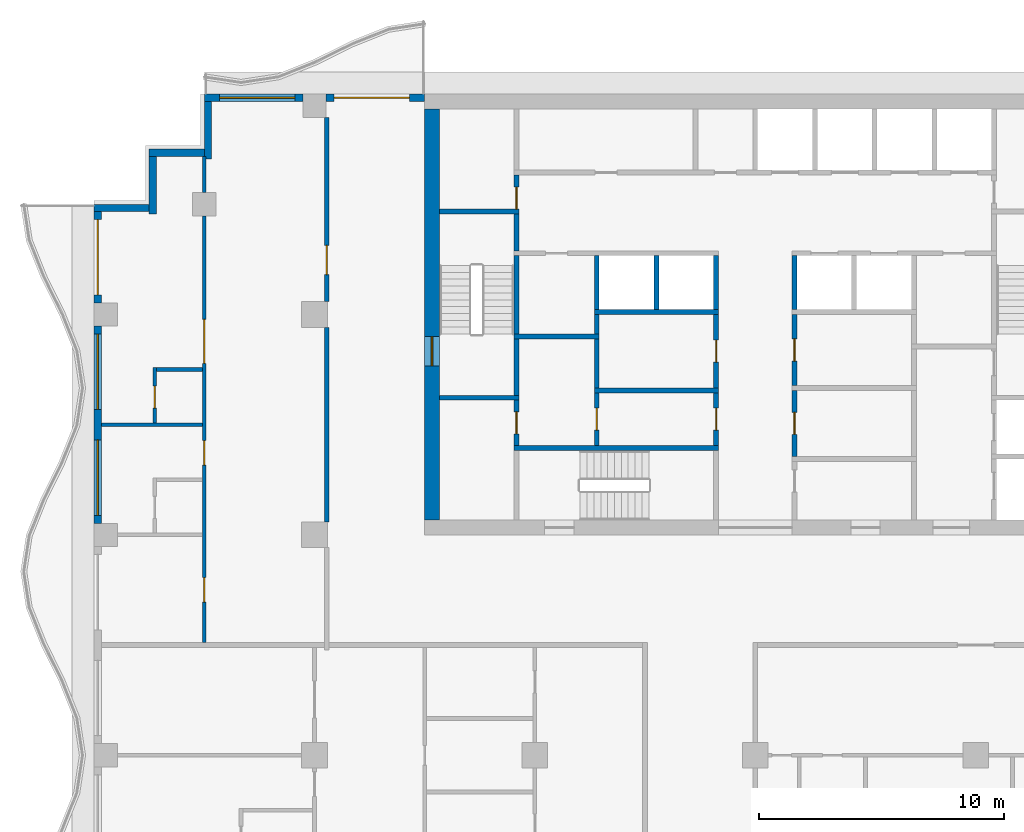
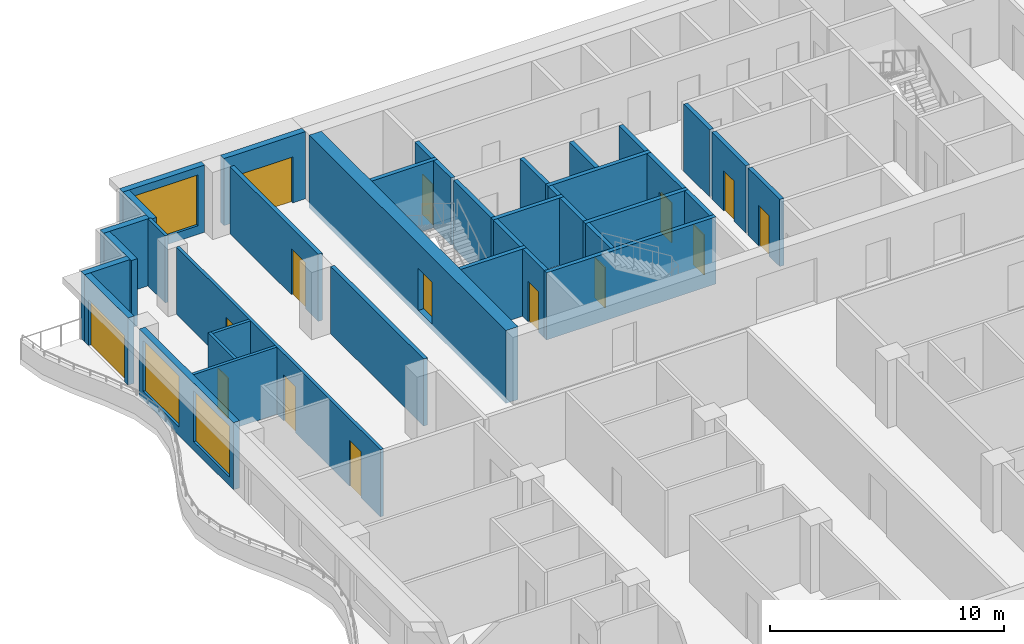
# One storey, part 5 of 11: 38 walls, 15 doors, 3 windows, 18 openings.
"""IFC4 building model written with IfcOpenShell, lengths in metres."""

from ifc_helpers import new_model, si_unit, direction, frame, frame_2d, origin, place, context, subcontext, project, spatial, rectangle, extrude, material, layer, layer_set, type_object, element, fill, save


model = new_model("IFC4")

# Units and contexts
model_context = context("Model", 3, precision=1e-05, world=origin(), true_north=direction((0.0, 1.0)))
body_context = subcontext(model_context, "Body", "Model", "MODEL_VIEW")
ifc_project = project(units=[si_unit("LENGTHUNIT", "METRE"), si_unit("AREAUNIT", "SQUARE_METRE"), si_unit("VOLUMEUNIT", "CUBIC_METRE"), si_unit("PLANEANGLEUNIT", "RADIAN"), si_unit("MASSUNIT", "GRAM", prefix="KILO")], contexts=[model_context])

# Site, building, storey
site_placement = place(None, origin())
site = spatial("IfcSite", under=ifc_project, at=site_placement, CompositionType="ELEMENT")
building_placement = place(site_placement, origin())
building = spatial("IfcBuilding", under=site, at=building_placement, Name="Orbiselva Terraces", CompositionType="ELEMENT")
storey_placement = place(building_placement, frame((0.0, 0.0, 218.6)))
storey = spatial("IfcBuildingStorey", under=building, at=storey_placement, Name="L55", CompositionType="ELEMENT", Elevation=218.6)

# Wall, opening, door
ifc_material_1 = material(Name="Concrete C80/95", Category="concrete")
ifc_layer_1 = layer(ifc_material_1, 0.6)
ifc_layer_set_1 = layer_set([ifc_layer_1], Name="Concrete C80/95")
wall_type_1 = type_object("IfcWallType", Name="CORE WALL 600", PredefinedType="SHEAR", material=ifc_layer_set_1)
wall_1_placement = place(storey_placement, frame((-13.2, 21.9, -0.3), z_axis=(0.0, 0.0, 1.0), x_axis=(0.0, -1.0, 0.0)))
wall_1 = element("IfcWall", 1, at=wall_1_placement, inside=storey, type_object=wall_type_1, Name="Core wall L55 west", PredefinedType="SHEAR", context=body_context, shape_type="SweptSolid", body=[
    extrude(rectangle(XDim=16.8, YDim=0.6, at=frame_2d((8.4, 0.0))), origin(), (0.0, 0.0, 1.0), 3.8),
])
opening_1_placement = place(wall_1_placement, frame((9.3, 0.0, 0.3)))
opening_1 = element("IfcOpeningElement", 2, at=opening_1_placement, cuts=wall_1, Name="Opening DS1200", PredefinedType="OPENING", context=body_context, shape_type="SweptSolid", body=[
    extrude(rectangle(XDim=1.2, YDim=2.2, at=frame_2d((0.6, 1.1))), frame((0.0, 0.31, 0.0), z_axis=(0.0, -1.0, 0.0), x_axis=(1.0, 0.0, 0.0)), (0.0, 0.0, 1.0), 0.62),
])
ifc_material_2 = material(Name="Steel fire door", Category="steel")
door_type_1 = type_object("IfcDoorType", Name="STAIR DOOR 1200", OperationType="NOTDEFINED", PredefinedType="DOOR", material=ifc_material_2)
door_1_placement = place(opening_1_placement, frame((1.2, 0.0, 0.0), z_axis=(0.0, 0.0, 1.0), x_axis=(-1.0, 0.0, 0.0)))
door_1 = element("IfcDoor", 3, at=door_1_placement, inside=storey, type_object=door_type_1, Name="L55 EXIT STAIR S1 door", OperationType="SINGLE_SWING_RIGHT", OverallHeight=2.2, OverallWidth=1.2, PredefinedType="DOOR", context=body_context, shape_type="SweptSolid", body=[
    extrude(rectangle(XDim=1.2, YDim=2.2, at=frame_2d((0.6, 1.1))), frame((0.0, 0.025, 0.0), z_axis=(0.0, -1.0, 0.0), x_axis=(1.0, 0.0, 0.0)), (0.0, 0.0, 1.0), 0.05),
])
fill(opening_1, door_1)

ifc_material_3 = material(Name="Masonry blockwork", Category="masonry")
ifc_layer_2 = layer(ifc_material_3, 0.2)
ifc_layer_set_2 = layer_set([ifc_layer_2], Name="Masonry blockwork")
wall_type_2 = type_object("IfcWallType", Name="CORE-WALL-PARTITION-200", PredefinedType="PARTITIONING", material=ifc_layer_set_2)
wall_2_placement = place(storey_placement, frame((-9.75, 8.15, 0.0), z_axis=(0.0, 0.0, 1.0), x_axis=(0.0, 1.0, 0.0)))
wall_2 = element("IfcWall", 4, at=wall_2_placement, inside=storey, type_object=wall_type_2, Name="L55 core wall 05", PredefinedType="PARTITIONING", context=body_context, shape_type="SweptSolid", body=[
    extrude(rectangle(XDim=1.85, YDim=0.2, at=frame_2d((0.925, 0.0))), origin(), (0.0, 0.0, 1.0), 3.5),
])
opening_2_placement = place(wall_2_placement, frame((0.475, 0.0, 0.0)))
opening_2 = element("IfcOpeningElement", 5, at=opening_2_placement, cuts=wall_2, Name="Opening DR900", PredefinedType="OPENING", context=body_context, shape_type="SweptSolid", body=[
    extrude(rectangle(XDim=0.9, YDim=2.1, at=frame_2d((0.45, 1.05))), frame((0.0, 0.11, 0.0), z_axis=(0.0, -1.0, 0.0), x_axis=(1.0, 0.0, 0.0)), (0.0, 0.0, 1.0), 0.22),
])
door_type_2 = type_object("IfcDoorType", Name="ROOM DOOR 900", OperationType="NOTDEFINED", PredefinedType="DOOR", material=ifc_material_2)
door_2_placement = place(opening_2_placement, origin())
door_2 = element("IfcDoor", 6, at=door_2_placement, inside=storey, type_object=door_type_2, Name="L55 CLEANERS STORE door", OperationType="SINGLE_SWING_RIGHT", OverallHeight=2.1, OverallWidth=0.9, PredefinedType="DOOR", context=body_context, shape_type="SweptSolid", body=[
    extrude(rectangle(XDim=0.9, YDim=2.1, at=frame_2d((0.45, 1.05))), frame((0.0, 0.025, 0.0), z_axis=(0.0, -1.0, 0.0), x_axis=(1.0, 0.0, 0.0)), (0.0, 0.0, 1.0), 0.05),
])
fill(opening_2, door_2)

wall_3_placement = place(storey_placement, frame((-9.75, 17.8, 0.0), z_axis=(0.0, 0.0, 1.0), x_axis=(0.0, 1.0, 0.0)))
wall_3 = element("IfcWall", 7, at=wall_3_placement, inside=storey, type_object=wall_type_2, Name="L55 core wall 11", PredefinedType="PARTITIONING", context=body_context, shape_type="SweptSolid", body=[
    extrude(rectangle(XDim=1.4, YDim=0.2, at=frame_2d((0.7, 0.0))), origin(), (0.0, 0.0, 1.0), 3.5),
])
opening_3_placement = place(wall_3_placement, origin())
opening_3 = element("IfcOpeningElement", 8, at=opening_3_placement, cuts=wall_3, Name="Opening DR900", PredefinedType="OPENING", context=body_context, shape_type="SweptSolid", body=[
    extrude(rectangle(XDim=0.9, YDim=2.1, at=frame_2d((0.45, 1.05))), frame((0.0, 0.11, 0.0), z_axis=(0.0, -1.0, 0.0), x_axis=(1.0, 0.0, 0.0)), (0.0, 0.0, 1.0), 0.22),
])
door_3_placement = place(opening_3_placement, origin())
door_3 = element("IfcDoor", 9, at=door_3_placement, inside=storey, type_object=door_type_2, Name="L55 COMMS RISER ROOM door", OperationType="SINGLE_SWING_LEFT", OverallHeight=2.1, OverallWidth=0.9, PredefinedType="DOOR", context=body_context, shape_type="SweptSolid", body=[
    extrude(rectangle(XDim=0.9, YDim=2.1, at=frame_2d((0.45, 1.05))), frame((0.0, 0.025, 0.0), z_axis=(0.0, -1.0, 0.0), x_axis=(1.0, 0.0, 0.0)), (0.0, 0.0, 1.0), 0.05),
])
fill(opening_3, door_3)

wall_4_placement = place(storey_placement, frame((-6.475, 8.15, 0.0), z_axis=(0.0, 0.0, 1.0), x_axis=(0.0, 1.0, 0.0)))
wall_4 = element("IfcWall", 10, at=wall_4_placement, inside=storey, type_object=wall_type_2, Name="L55 core wall 14", PredefinedType="PARTITIONING", context=body_context, shape_type="SweptSolid", body=[
    extrude(rectangle(XDim=2.15, YDim=0.2, at=frame_2d((1.075, 0.0))), origin(), (0.0, 0.0, 1.0), 3.5),
])
opening_4_placement = place(wall_4_placement, frame((0.625, 0.0, 0.0)))
opening_4 = element("IfcOpeningElement", 11, at=opening_4_placement, cuts=wall_4, Name="Opening DR900", PredefinedType="OPENING", context=body_context, shape_type="SweptSolid", body=[
    extrude(rectangle(XDim=0.9, YDim=2.1, at=frame_2d((0.45, 1.05))), frame((0.0, 0.11, 0.0), z_axis=(0.0, -1.0, 0.0), x_axis=(1.0, 0.0, 0.0)), (0.0, 0.0, 1.0), 0.22),
])
door_4_placement = place(opening_4_placement, origin())
door_4 = element("IfcDoor", 12, at=door_4_placement, inside=storey, type_object=door_type_2, Name="L55 STAFF ROOM door", OperationType="SINGLE_SWING_LEFT", OverallHeight=2.1, OverallWidth=0.9, PredefinedType="DOOR", context=body_context, shape_type="SweptSolid", body=[
    extrude(rectangle(XDim=0.9, YDim=2.1, at=frame_2d((0.45, 1.05))), frame((0.0, 0.025, 0.0), z_axis=(0.0, -1.0, 0.0), x_axis=(1.0, 0.0, 0.0)), (0.0, 0.0, 1.0), 0.05),
])
fill(opening_4, door_4)

# Walls
wall_5_placement = place(storey_placement, frame((-6.475, 10.5, 0.0), z_axis=(0.0, 0.0, 1.0), x_axis=(0.0, 1.0, 0.0)))
element("IfcWall", 13, at=wall_5_placement, inside=storey, type_object=wall_type_2, Name="L55 core wall 16", PredefinedType="PARTITIONING", context=body_context, shape_type="SweptSolid", body=[
    extrude(rectangle(XDim=2.0, YDim=0.2, at=frame_2d((1.0, 0.0))), origin(), (0.0, 0.0, 1.0), 3.5),
])
wall_6_placement = place(storey_placement, frame((-6.475, 12.7, 0.0), z_axis=(0.0, 0.0, 1.0), x_axis=(0.0, 1.0, 0.0)))
element("IfcWall", 14, at=wall_6_placement, inside=storey, type_object=wall_type_2, Name="L55 core wall 17", PredefinedType="PARTITIONING", context=body_context, shape_type="SweptSolid", body=[
    extrude(rectangle(XDim=0.8, YDim=0.2, at=frame_2d((0.4, 0.0))), origin(), (0.0, 0.0, 1.0), 3.5),
])

# Wall, opening, door
wall_7_placement = place(storey_placement, frame((-1.6, 8.15, 0.0), z_axis=(0.0, 0.0, 1.0), x_axis=(0.0, 1.0, 0.0)))
wall_7 = element("IfcWall", 15, at=wall_7_placement, inside=storey, type_object=wall_type_2, Name="L55 core wall 23", PredefinedType="PARTITIONING", context=body_context, shape_type="SweptSolid", body=[
    extrude(rectangle(XDim=2.15, YDim=0.2, at=frame_2d((1.075, 0.0))), origin(), (0.0, 0.0, 1.0), 3.5),
])
opening_5_placement = place(wall_7_placement, frame((0.625, 0.0, 0.0)))
opening_5 = element("IfcOpeningElement", 16, at=opening_5_placement, cuts=wall_7, Name="Opening DR900", PredefinedType="OPENING", context=body_context, shape_type="SweptSolid", body=[
    extrude(rectangle(XDim=0.9, YDim=2.1, at=frame_2d((0.45, 1.05))), frame((0.0, 0.11, 0.0), z_axis=(0.0, -1.0, 0.0), x_axis=(1.0, 0.0, 0.0)), (0.0, 0.0, 1.0), 0.22),
])
door_5_placement = place(opening_5_placement, origin())
door_5 = element("IfcDoor", 17, at=door_5_placement, inside=storey, type_object=door_type_2, Name="L55 SERVICE PANTRY door", OperationType="SINGLE_SWING_LEFT", OverallHeight=2.1, OverallWidth=0.9, PredefinedType="DOOR", context=body_context, shape_type="SweptSolid", body=[
    extrude(rectangle(XDim=0.9, YDim=2.1, at=frame_2d((0.45, 1.05))), frame((0.0, 0.025, 0.0), z_axis=(0.0, -1.0, 0.0), x_axis=(1.0, 0.0, 0.0)), (0.0, 0.0, 1.0), 0.05),
])
fill(opening_5, door_5)

wall_8_placement = place(storey_placement, frame((-1.6, 10.5, 0.0), z_axis=(0.0, 0.0, 1.0), x_axis=(0.0, 1.0, 0.0)))
wall_8 = element("IfcWall", 18, at=wall_8_placement, inside=storey, type_object=wall_type_2, Name="L55 core wall 24", PredefinedType="PARTITIONING", context=body_context, shape_type="SweptSolid", body=[
    extrude(rectangle(XDim=3.0, YDim=0.2, at=frame_2d((1.5, 0.0))), origin(), (0.0, 0.0, 1.0), 3.5),
])
opening_6_placement = place(wall_8_placement, frame((1.05, 0.0, 0.0)))
opening_6 = element("IfcOpeningElement", 19, at=opening_6_placement, cuts=wall_8, Name="Opening DR900", PredefinedType="OPENING", context=body_context, shape_type="SweptSolid", body=[
    extrude(rectangle(XDim=0.9, YDim=2.1, at=frame_2d((0.45, 1.05))), frame((0.0, 0.11, 0.0), z_axis=(0.0, -1.0, 0.0), x_axis=(1.0, 0.0, 0.0)), (0.0, 0.0, 1.0), 0.22),
])
door_6_placement = place(opening_6_placement, origin())
door_6 = element("IfcDoor", 20, at=door_6_placement, inside=storey, type_object=door_type_2, Name="L55 LINEN STORE door", OperationType="SINGLE_SWING_RIGHT", OverallHeight=2.1, OverallWidth=0.9, PredefinedType="DOOR", context=body_context, shape_type="SweptSolid", body=[
    extrude(rectangle(XDim=0.9, YDim=2.1, at=frame_2d((0.45, 1.05))), frame((0.0, 0.025, 0.0), z_axis=(0.0, -1.0, 0.0), x_axis=(1.0, 0.0, 0.0)), (0.0, 0.0, 1.0), 0.05),
])
fill(opening_6, door_6)

wall_9_placement = place(storey_placement, frame((1.6, 10.4, 0.0), z_axis=(0.0, 0.0, 1.0), x_axis=(0.0, -1.0, 0.0)))
wall_9 = element("IfcWall", 21, at=wall_9_placement, inside=storey, type_object=wall_type_2, Name="L55 core wall 29", PredefinedType="PARTITIONING", context=body_context, shape_type="SweptSolid", body=[
    extrude(rectangle(XDim=2.7, YDim=0.2, at=frame_2d((1.35, 0.0))), origin(), (0.0, 0.0, 1.0), 3.5),
])
opening_7_placement = place(wall_9_placement, frame((0.9, 0.0, 0.0)))
opening_7 = element("IfcOpeningElement", 22, at=opening_7_placement, cuts=wall_9, Name="Opening DR900", PredefinedType="OPENING", context=body_context, shape_type="SweptSolid", body=[
    extrude(rectangle(XDim=0.9, YDim=2.1, at=frame_2d((0.45, 1.05))), frame((0.0, 0.11, 0.0), z_axis=(0.0, -1.0, 0.0), x_axis=(1.0, 0.0, 0.0)), (0.0, 0.0, 1.0), 0.22),
])
door_7_placement = place(opening_7_placement, origin())
door_7 = element("IfcDoor", 23, at=door_7_placement, inside=storey, type_object=door_type_2, Name="L55 SERVICE PANTRY door", OperationType="SINGLE_SWING_LEFT", OverallHeight=2.1, OverallWidth=0.9, PredefinedType="DOOR", context=body_context, shape_type="SweptSolid", body=[
    extrude(rectangle(XDim=0.9, YDim=2.1, at=frame_2d((0.45, 1.05))), frame((0.0, 0.025, 0.0), z_axis=(0.0, -1.0, 0.0), x_axis=(1.0, 0.0, 0.0)), (0.0, 0.0, 1.0), 0.05),
])
fill(opening_7, door_7)

wall_10_placement = place(storey_placement, frame((1.6, 13.5, 0.0), z_axis=(0.0, 0.0, 1.0), x_axis=(0.0, -1.0, 0.0)))
wall_10 = element("IfcWall", 24, at=wall_10_placement, inside=storey, type_object=wall_type_2, Name="L55 core wall 31", PredefinedType="PARTITIONING", context=body_context, shape_type="SweptSolid", body=[
    extrude(rectangle(XDim=2.9, YDim=0.2, at=frame_2d((1.45, 0.0))), origin(), (0.0, 0.0, 1.0), 3.5),
])
opening_8_placement = place(wall_10_placement, frame((1.0, 0.0, 0.0)))
opening_8 = element("IfcOpeningElement", 25, at=opening_8_placement, cuts=wall_10, Name="Opening DR900", PredefinedType="OPENING", context=body_context, shape_type="SweptSolid", body=[
    extrude(rectangle(XDim=0.9, YDim=2.1, at=frame_2d((0.45, 1.05))), frame((0.0, 0.11, 0.0), z_axis=(0.0, -1.0, 0.0), x_axis=(1.0, 0.0, 0.0)), (0.0, 0.0, 1.0), 0.22),
])
door_8_placement = place(opening_8_placement, origin())
door_8 = element("IfcDoor", 26, at=door_8_placement, inside=storey, type_object=door_type_2, Name="L55 STAFF WC door", OperationType="SINGLE_SWING_LEFT", OverallHeight=2.1, OverallWidth=0.9, PredefinedType="DOOR", context=body_context, shape_type="SweptSolid", body=[
    extrude(rectangle(XDim=0.9, YDim=2.1, at=frame_2d((0.45, 1.05))), frame((0.0, 0.025, 0.0), z_axis=(0.0, -1.0, 0.0), x_axis=(1.0, 0.0, 0.0)), (0.0, 0.0, 1.0), 0.05),
])
fill(opening_8, door_8)

# Walls
ifc_material_4 = material(Name="Concrete C40/50", Category="concrete")
ifc_layer_3 = layer(ifc_material_4, 0.2)
ifc_layer_set_3 = layer_set([ifc_layer_3], Name="Concrete C40/50")
wall_type_3 = type_object("IfcWallType", Name="CORE-WALL-SHAFT-200", PredefinedType="PARTITIONING", material=ifc_layer_set_3)
for number, where, z_axis, x_axis, name in (
    (27, (-6.475, 13.7, 0.0), (0.0, 0.0, 1.0), (0.0, 1.0, 0.0), "L55 core wall 19"),
    (28, (-4.0375, 13.7, 0.0), (0.0, 0.0, 1.0), (0.0, 1.0, 0.0), "L55 core wall 20"),
    (29, (-1.6, 13.7, 0.0), (0.0, 0.0, 1.0), (0.0, 1.0, 0.0), "L55 core wall 25"),
    (30, (1.6, 13.7, 0.0), (0.0, 0.0, 1.0), (0.0, 1.0, 0.0), "L55 core wall 33"),
):
    element("IfcWall", number, at=place(storey_placement, frame(where, z_axis=z_axis, x_axis=x_axis)), inside=storey, type_object=wall_type_3, Name=name, PredefinedType="PARTITIONING", context=body_context, shape_type="SweptSolid", body=[
        extrude(rectangle(XDim=2.2, YDim=0.2, at=frame_2d((1.1, 0.0))), origin(), (0.0, 0.0, 1.0), 3.5),
    ])
ifc_material_5 = material(Name="Concrete C60/75", Category="concrete")
ifc_layer_4 = layer(ifc_material_5, 0.2)
ifc_layer_set_4 = layer_set([ifc_layer_4], Name="Concrete C60/75")
wall_type_4 = type_object("IfcWallType", Name="CORE-WALL-SHEAR-200", PredefinedType="SHEAR", material=ifc_layer_set_4)
for number, where, z_axis, x_axis, name in (
    (31, (-12.9, 10.1, 0.0), (0.0, 0.0, 1.0), (1.0, 0.0, 0.0), "L55 core wall 01"),
    (32, (-12.9, 17.7, 0.0), (0.0, 0.0, 1.0), (1.0, 0.0, 0.0), "L55 core wall 02"),
):
    element("IfcWall", number, at=place(storey_placement, frame(where, z_axis=z_axis, x_axis=x_axis)), inside=storey, type_object=wall_type_4, Name=name, PredefinedType="SHEAR", context=body_context, shape_type="SweptSolid", body=[
        extrude(rectangle(XDim=3.25, YDim=0.2, at=frame_2d((1.625, 0.0))), origin(), (0.0, 0.0, 1.0), 3.5),
    ])
wall_11_placement = place(storey_placement, frame((-9.85, 8.05, 0.0), z_axis=(0.0, 0.0, 1.0), x_axis=(1.0, 0.0, 0.0)))
element("IfcWall", 33, at=wall_11_placement, inside=storey, type_object=wall_type_4, Name="L55 core wall 04", PredefinedType="SHEAR", context=body_context, shape_type="SweptSolid", body=[
    extrude(rectangle(XDim=8.35, YDim=0.2, at=frame_2d((4.175, 0.0))), origin(), (0.0, 0.0, 1.0), 3.5),
])
wall_12_placement = place(storey_placement, frame((-9.75, 10.2, 0.0), z_axis=(0.0, 0.0, 1.0), x_axis=(0.0, 1.0, 0.0)))
element("IfcWall", 34, at=wall_12_placement, inside=storey, type_object=wall_type_4, Name="L55 core wall 06", PredefinedType="SHEAR", context=body_context, shape_type="SweptSolid", body=[
    extrude(rectangle(XDim=2.3, YDim=0.2, at=frame_2d((1.15, 0.0))), origin(), (0.0, 0.0, 1.0), 3.5),
])
wall_13_placement = place(storey_placement, frame((-9.85, 12.6, 0.0), z_axis=(0.0, 0.0, 1.0), x_axis=(1.0, 0.0, 0.0)))
element("IfcWall", 35, at=wall_13_placement, inside=storey, type_object=wall_type_4, Name="L55 core wall 07", PredefinedType="SHEAR", context=body_context, shape_type="SweptSolid", body=[
    extrude(rectangle(XDim=3.475, YDim=0.2, at=frame_2d((1.7375, 0.0))), origin(), (0.0, 0.0, 1.0), 3.5),
])
wall_14_placement = place(storey_placement, frame((-9.75, 12.7, 0.0), z_axis=(0.0, 0.0, 1.0), x_axis=(0.0, 1.0, 0.0)))
element("IfcWall", 36, at=wall_14_placement, inside=storey, type_object=wall_type_4, Name="L55 core wall 08", PredefinedType="SHEAR", context=body_context, shape_type="SweptSolid", body=[
    extrude(rectangle(XDim=3.2, YDim=0.2, at=frame_2d((1.6, 0.0))), origin(), (0.0, 0.0, 1.0), 3.5),
])
wall_15_placement = place(storey_placement, frame((-9.75, 16.1, 0.0), z_axis=(0.0, 0.0, 1.0), x_axis=(0.0, 1.0, 0.0)))
element("IfcWall", 37, at=wall_15_placement, inside=storey, type_object=wall_type_4, Name="L55 core wall 10", PredefinedType="SHEAR", context=body_context, shape_type="SweptSolid", body=[
    extrude(rectangle(XDim=1.5, YDim=0.2, at=frame_2d((0.75, 0.0))), origin(), (0.0, 0.0, 1.0), 3.5),
])
for number, where, z_axis, x_axis, name in (
    (38, (-6.575, 10.4, 0.0), (0.0, 0.0, 1.0), (1.0, 0.0, 0.0), "L55 core wall 15"),
    (39, (-6.575, 13.6, 0.0), (0.0, 0.0, 1.0), (1.0, 0.0, 0.0), "L55 core wall 18"),
):
    element("IfcWall", number, at=place(storey_placement, frame(where, z_axis=z_axis, x_axis=x_axis)), inside=storey, type_object=wall_type_4, Name=name, PredefinedType="SHEAR", context=body_context, shape_type="SweptSolid", body=[
        extrude(rectangle(XDim=5.075, YDim=0.2, at=frame_2d((2.5375, 0.0))), origin(), (0.0, 0.0, 1.0), 3.5),
    ])

# Wall, opening, door
ifc_material_6 = material(Name="Terracotta cladding on masonry backing", Category="masonry")
ifc_layer_5 = layer(ifc_material_6, 0.3)
ifc_layer_set_5 = layer_set([ifc_layer_5], Name="Terracotta cladding on masonry backing")
wall_type_5 = type_object("IfcWallType", Name="ENV-WALL-TERRACOTTA-300", PredefinedType="SOLIDWALL", material=ifc_layer_set_5)
wall_16_placement = place(storey_placement, frame((-17.525, 22.35, 0.0), z_axis=(0.0, 0.0, 1.0), x_axis=(1.0, 0.0, 0.0)))
wall_16 = element("IfcWall", 40, at=wall_16_placement, inside=storey, type_object=wall_type_5, Name="Facade wall L55 NW", PredefinedType="SOLIDWALL", context=body_context, shape_type="SweptSolid", body=[
    extrude(rectangle(XDim=4.025, YDim=0.3, at=frame_2d((2.0125, 0.0))), origin(), (0.0, 0.0, 1.0), 3.5),
])
opening_9_placement = place(wall_16_placement, frame((0.325, 0.0, 0.0)))
opening_9 = element("IfcOpeningElement", 41, at=opening_9_placement, cuts=wall_16, Name="Opening Z4-D-E09", PredefinedType="OPENING", context=body_context, shape_type="SweptSolid", body=[
    extrude(rectangle(XDim=3.075, YDim=2.4, at=frame_2d((1.5375, 1.2))), frame((0.0, 0.16, 0.0), z_axis=(0.0, -1.0, 0.0), x_axis=(1.0, 0.0, 0.0)), (0.0, 0.0, 1.0), 0.32),
])
ifc_material_7 = material(Name="Clear low-e glazing in aluminium frame", Category="aluminium")
door_type_3 = type_object("IfcDoorType", Name="BALCONY DOOR 3075 X 2400", OperationType="DOUBLE_DOOR_SLIDING", PredefinedType="DOOR", material=ifc_material_7)
door_9_placement = place(opening_9_placement, origin())
door_9 = element("IfcDoor", 42, at=door_9_placement, inside=storey, type_object=door_type_3, Name="Z4-D-E09", OperationType="SINGLE_SWING_LEFT", OverallHeight=2.4, OverallWidth=3.075, PredefinedType="DOOR", context=body_context, shape_type="SweptSolid", body=[
    extrude(rectangle(XDim=3.075, YDim=2.4, at=frame_2d((1.5375, 1.2))), frame((0.0, 0.025, 0.0), z_axis=(0.0, -1.0, 0.0), x_axis=(1.0, 0.0, 0.0)), (0.0, 0.0, 1.0), 0.05),
])
fill(opening_9, door_9)

# Wall, opening, window
wall_17_placement = place(storey_placement, frame((-22.5, 22.35, 0.0), z_axis=(0.0, 0.0, 1.0), x_axis=(1.0, 0.0, 0.0)))
wall_17 = element("IfcWall", 43, at=wall_17_placement, inside=storey, type_object=wall_type_5, Name="Facade wall L55 NW", PredefinedType="SOLIDWALL", context=body_context, shape_type="SweptSolid", body=[
    extrude(rectangle(XDim=4.025, YDim=0.3, at=frame_2d((2.0125, 0.0))), origin(), (0.0, 0.0, 1.0), 3.5),
])
opening_10_placement = place(wall_17_placement, frame((0.625, 0.0, 0.45)))
opening_10 = element("IfcOpeningElement", 44, at=opening_10_placement, cuts=wall_17, Name="Opening WN15", PredefinedType="OPENING", context=body_context, shape_type="SweptSolid", body=[
    extrude(rectangle(XDim=3.075, YDim=2.65, at=frame_2d((1.5375, 1.325))), frame((0.0, 0.16, 0.0), z_axis=(0.0, -1.0, 0.0), x_axis=(1.0, 0.0, 0.0)), (0.0, 0.0, 1.0), 0.32),
])
window_type = type_object("IfcWindowType", Name="WINDOW 3075 X 2650 S450", PartitioningType="TRIPLE_PANEL_VERTICAL", PredefinedType="WINDOW", material=ifc_material_7)
window_1_placement = place(opening_10_placement, origin())
window_1 = element("IfcWindow", 45, at=window_1_placement, inside=storey, type_object=window_type, Name="Window L55 NW", OverallHeight=2.65, OverallWidth=3.075, PartitioningType="SINGLE_PANEL", PredefinedType="WINDOW", context=body_context, shape_type="SweptSolid", body=[
    extrude(rectangle(XDim=3.075, YDim=2.65, at=frame_2d((1.5375, 1.325))), frame((0.0, 0.03, 0.0), z_axis=(0.0, -1.0, 0.0), x_axis=(1.0, 0.0, 0.0)), (0.0, 0.0, 1.0), 0.06),
])
fill(opening_10, window_1)

# Walls
wall_18_placement = place(storey_placement, frame((-22.35, 19.85, 0.0), z_axis=(0.0, 0.0, 1.0), x_axis=(0.0, 1.0, 0.0)))
element("IfcWall", 46, at=wall_18_placement, inside=storey, type_object=wall_type_5, Name="Facade wall L55 STEP", PredefinedType="SOLIDWALL", context=body_context, shape_type="SweptSolid", body=[
    extrude(rectangle(XDim=2.35, YDim=0.3, at=frame_2d((1.175, 0.0))), origin(), (0.0, 0.0, 1.0), 3.5),
])
wall_19_placement = place(storey_placement, frame((-24.75, 20.1, 0.0), z_axis=(0.0, 0.0, 1.0), x_axis=(1.0, 0.0, 0.0)))
element("IfcWall", 47, at=wall_19_placement, inside=storey, type_object=wall_type_5, Name="Facade wall L55 STEP", PredefinedType="SOLIDWALL", context=body_context, shape_type="SweptSolid", body=[
    extrude(rectangle(XDim=2.25, YDim=0.3, at=frame_2d((1.125, 0.0))), origin(), (0.0, 0.0, 1.0), 3.5),
])
wall_20_placement = place(storey_placement, frame((-24.6, 17.6, 0.0), z_axis=(0.0, 0.0, 1.0), x_axis=(0.0, 1.0, 0.0)))
element("IfcWall", 48, at=wall_20_placement, inside=storey, type_object=wall_type_5, Name="Facade wall L55 STEP", PredefinedType="SOLIDWALL", context=body_context, shape_type="SweptSolid", body=[
    extrude(rectangle(XDim=2.35, YDim=0.3, at=frame_2d((1.175, 0.0))), origin(), (0.0, 0.0, 1.0), 3.5),
])
wall_21_placement = place(storey_placement, frame((-27.0, 17.85, 0.0), z_axis=(0.0, 0.0, 1.0), x_axis=(1.0, 0.0, 0.0)))
element("IfcWall", 49, at=wall_21_placement, inside=storey, type_object=wall_type_5, Name="Facade wall L55 STEP", PredefinedType="SOLIDWALL", context=body_context, shape_type="SweptSolid", body=[
    extrude(rectangle(XDim=2.25, YDim=0.3, at=frame_2d((1.125, 0.0))), origin(), (0.0, 0.0, 1.0), 3.5),
])

# Wall, opening, door
wall_22_placement = place(storey_placement, frame((-26.85, 13.975, 0.0), z_axis=(0.0, 0.0, 1.0), x_axis=(0.0, 1.0, 0.0)))
wall_22 = element("IfcWall", 50, at=wall_22_placement, inside=storey, type_object=wall_type_5, Name="Facade wall L55 W", PredefinedType="SOLIDWALL", context=body_context, shape_type="SweptSolid", body=[
    extrude(rectangle(XDim=3.725, YDim=0.3, at=frame_2d((1.8625, 0.0))), origin(), (0.0, 0.0, 1.0), 3.5),
])
opening_11_placement = place(wall_22_placement, frame((0.325, 0.0, 0.0)))
opening_11 = element("IfcOpeningElement", 51, at=opening_11_placement, cuts=wall_22, Name="Opening Z4-D-E10", PredefinedType="OPENING", context=body_context, shape_type="SweptSolid", body=[
    extrude(rectangle(XDim=3.075, YDim=2.4, at=frame_2d((1.5375, 1.2))), frame((0.0, 0.16, 0.0), z_axis=(0.0, -1.0, 0.0), x_axis=(1.0, 0.0, 0.0)), (0.0, 0.0, 1.0), 0.32),
])
door_10_placement = place(opening_11_placement, origin())
door_10 = element("IfcDoor", 52, at=door_10_placement, inside=storey, type_object=door_type_3, Name="Z4-D-E10", OperationType="SINGLE_SWING_LEFT", OverallHeight=2.4, OverallWidth=3.075, PredefinedType="DOOR", context=body_context, shape_type="SweptSolid", body=[
    extrude(rectangle(XDim=3.075, YDim=2.4, at=frame_2d((1.5375, 1.2))), frame((0.0, 0.025, 0.0), z_axis=(0.0, -1.0, 0.0), x_axis=(1.0, 0.0, 0.0)), (0.0, 0.0, 1.0), 0.05),
])
fill(opening_11, door_10)

# Wall, openings, windows
wall_23_placement = place(storey_placement, frame((-26.85, 4.975, 0.0), z_axis=(0.0, 0.0, 1.0), x_axis=(0.0, 1.0, 0.0)))
wall_23 = element("IfcWall", 53, at=wall_23_placement, inside=storey, type_object=wall_type_5, Name="Facade wall L55 W", PredefinedType="SOLIDWALL", context=body_context, shape_type="SweptSolid", body=[
    extrude(rectangle(XDim=8.05, YDim=0.3, at=frame_2d((4.025, 0.0))), origin(), (0.0, 0.0, 1.0), 3.5),
])
opening_12_placement = place(wall_23_placement, frame((4.65, 0.0, 0.45)))
opening_12 = element("IfcOpeningElement", 54, at=opening_12_placement, cuts=wall_23, Name="Opening WN15", PredefinedType="OPENING", context=body_context, shape_type="SweptSolid", body=[
    extrude(rectangle(XDim=3.075, YDim=2.65, at=frame_2d((1.5375, 1.325))), frame((0.0, 0.16, 0.0), z_axis=(0.0, -1.0, 0.0), x_axis=(1.0, 0.0, 0.0)), (0.0, 0.0, 1.0), 0.32),
])
opening_13_placement = place(wall_23_placement, frame((0.325, 0.0, 0.45)))
opening_13 = element("IfcOpeningElement", 55, at=opening_13_placement, cuts=wall_23, Name="Opening WN15", PredefinedType="OPENING", context=body_context, shape_type="SweptSolid", body=[
    extrude(rectangle(XDim=3.075, YDim=2.65, at=frame_2d((1.5375, 1.325))), frame((0.0, 0.16, 0.0), z_axis=(0.0, -1.0, 0.0), x_axis=(1.0, 0.0, 0.0)), (0.0, 0.0, 1.0), 0.32),
])
window_2_placement = place(opening_12_placement, origin())
window_2 = element("IfcWindow", 56, at=window_2_placement, inside=storey, type_object=window_type, Name="Window L55 W", OverallHeight=2.65, OverallWidth=3.075, PartitioningType="SINGLE_PANEL", PredefinedType="WINDOW", context=body_context, shape_type="SweptSolid", body=[
    extrude(rectangle(XDim=3.075, YDim=2.65, at=frame_2d((1.5375, 1.325))), frame((0.0, 0.03, 0.0), z_axis=(0.0, -1.0, 0.0), x_axis=(1.0, 0.0, 0.0)), (0.0, 0.0, 1.0), 0.06),
])
fill(opening_12, window_2)
window_3_placement = place(opening_13_placement, origin())
window_3 = element("IfcWindow", 57, at=window_3_placement, inside=storey, type_object=window_type, Name="Window L55 W", OverallHeight=2.65, OverallWidth=3.075, PartitioningType="SINGLE_PANEL", PredefinedType="WINDOW", context=body_context, shape_type="SweptSolid", body=[
    extrude(rectangle(XDim=3.075, YDim=2.65, at=frame_2d((1.5375, 1.325))), frame((0.0, 0.03, 0.0), z_axis=(0.0, -1.0, 0.0), x_axis=(1.0, 0.0, 0.0)), (0.0, 0.0, 1.0), 0.06),
])
fill(opening_13, window_3)

# Wall
ifc_material_8 = material(Name="Plasterboard on steel stud partition", Category="steel")
ifc_layer_6 = layer(ifc_material_8, 0.2)
ifc_layer_set_6 = layer_set([ifc_layer_6], Name="Plasterboard on steel stud partition")
wall_type_6 = type_object("IfcWallType", Name="UNIT-ENTRANCE-WALL-200", PredefinedType="PARTITIONING", material=ifc_layer_set_6)
wall_24_placement = place(storey_placement, frame((-17.5, 5.025, 0.0), z_axis=(0.0, 0.0, 1.0), x_axis=(0.0, 1.0, 0.0)))
element("IfcWall", 58, at=wall_24_placement, inside=storey, type_object=wall_type_6, Name="PARTITION L55-051", PredefinedType="PARTITIONING", context=body_context, shape_type="SweptSolid", body=[
    extrude(rectangle(XDim=7.95, YDim=0.2, at=frame_2d((3.975, 0.0))), origin(), (0.0, 0.0, 1.0), 3.5),
])

# Wall, opening, door
wall_25_placement = place(storey_placement, frame((-17.5, 14.025, 0.0), z_axis=(0.0, 0.0, 1.0), x_axis=(0.0, 1.0, 0.0)))
wall_25 = element("IfcWall", 59, at=wall_25_placement, inside=storey, type_object=wall_type_6, Name="PARTITION L55-052", PredefinedType="PARTITIONING", context=body_context, shape_type="SweptSolid", body=[
    extrude(rectangle(XDim=7.525, YDim=0.2, at=frame_2d((3.7625, 0.0))), origin(), (0.0, 0.0, 1.0), 3.5),
])
opening_14_placement = place(wall_25_placement, frame((1.1, 0.0, 0.0)))
opening_14 = element("IfcOpeningElement", 60, at=opening_14_placement, cuts=wall_25, Name="Opening Z4-D-02", PredefinedType="OPENING", context=body_context, shape_type="SweptSolid", body=[
    extrude(rectangle(XDim=1.2, YDim=2.4, at=frame_2d((0.6, 1.2))), frame((0.0, 0.11, 0.0), z_axis=(0.0, -1.0, 0.0), x_axis=(1.0, 0.0, 0.0)), (0.0, 0.0, 1.0), 0.22),
])
ifc_material_9 = material(Name="Painted timber door leaf", Category="wood")
door_type_4 = type_object("IfcDoorType", Name="ENTRANCE DOOR 1200", OperationType="NOTDEFINED", PredefinedType="DOOR", material=ifc_material_9)
door_11_placement = place(opening_14_placement, origin())
door_11 = element("IfcDoor", 61, at=door_11_placement, inside=storey, type_object=door_type_4, Name="Z4-D-02", OperationType="SINGLE_SWING_LEFT", OverallHeight=2.4, OverallWidth=1.2, PredefinedType="DOOR", context=body_context, shape_type="SweptSolid", body=[
    extrude(rectangle(XDim=1.2, YDim=2.4, at=frame_2d((0.6, 1.2))), frame((0.0, 0.025, 0.0), z_axis=(0.0, -1.0, 0.0), x_axis=(1.0, 0.0, 0.0)), (0.0, 0.0, 1.0), 0.05),
])
fill(opening_14, door_11)

# Walls
ifc_layer_7 = layer(ifc_material_8, 0.15)
ifc_layer_set_7 = layer_set([ifc_layer_7], Name="Plasterboard on steel stud partition")
wall_type_7 = type_object("IfcWallType", Name="UNIT-PARTITION-150", PredefinedType="PARTITIONING", material=ifc_layer_set_7)
wall_26_placement = place(storey_placement, frame((-26.7, 9.0, 0.0), z_axis=(0.0, 0.0, 1.0), x_axis=(1.0, 0.0, 0.0)))
element("IfcWall", 62, at=wall_26_placement, inside=storey, type_object=wall_type_7, Name="PARTITION L55-035", PredefinedType="PARTITIONING", context=body_context, shape_type="SweptSolid", body=[
    extrude(rectangle(XDim=4.125, YDim=0.15, at=frame_2d((2.0625, 0.0))), origin(), (0.0, 0.0, 1.0), 3.5),
])
wall_27_placement = place(storey_placement, frame((-24.45, 11.25, 0.0), z_axis=(0.0, 0.0, 1.0), x_axis=(1.0, 0.0, 0.0)))
element("IfcWall", 63, at=wall_27_placement, inside=storey, type_object=wall_type_7, Name="PARTITION L55-038", PredefinedType="PARTITIONING", context=body_context, shape_type="SweptSolid", body=[
    extrude(rectangle(XDim=1.875, YDim=0.15, at=frame_2d((0.9375, 0.0))), origin(), (0.0, 0.0, 1.0), 3.5),
])

# Wall, opening, door
wall_28_placement = place(storey_placement, frame((-24.525, 11.325, 0.0), z_axis=(0.0, 0.0, 1.0), x_axis=(0.0, -1.0, 0.0)))
wall_28 = element("IfcWall", 64, at=wall_28_placement, inside=storey, type_object=wall_type_7, Name="PARTITION L55-042", PredefinedType="PARTITIONING", context=body_context, shape_type="SweptSolid", body=[
    extrude(rectangle(XDim=2.25, YDim=0.15, at=frame_2d((1.125, 0.0))), origin(), (0.0, 0.0, 1.0), 3.5),
])
opening_15_placement = place(wall_28_placement, frame((0.75, 0.0, 0.0)))
opening_15 = element("IfcOpeningElement", 65, at=opening_15_placement, cuts=wall_28, Name="Opening Z4-D-07", PredefinedType="OPENING", context=body_context, shape_type="SweptSolid", body=[
    extrude(rectangle(XDim=0.9, YDim=2.1, at=frame_2d((0.45, 1.05))), frame((0.0, 0.085, 0.0), z_axis=(0.0, -1.0, 0.0), x_axis=(1.0, 0.0, 0.0)), (0.0, 0.0, 1.0), 0.17),
])
door_type_5 = type_object("IfcDoorType", Name="BATH DOOR 900", OperationType="NOTDEFINED", PredefinedType="DOOR", material=ifc_material_9)
door_12_placement = place(opening_15_placement, origin())
door_12 = element("IfcDoor", 66, at=door_12_placement, inside=storey, type_object=door_type_5, Name="Z4-D-07", OperationType="SINGLE_SWING_RIGHT", OverallHeight=2.1, OverallWidth=0.9, PredefinedType="DOOR", context=body_context, shape_type="SweptSolid", body=[
    extrude(rectangle(XDim=0.9, YDim=2.1, at=frame_2d((0.45, 1.05))), frame((0.0, 0.025, 0.0), z_axis=(0.0, -1.0, 0.0), x_axis=(1.0, 0.0, 0.0)), (0.0, 0.0, 1.0), 0.05),
])
fill(opening_15, door_12)

# Wall, openings, doors
wall_29_placement = place(storey_placement, frame((-22.5, 0.1, 0.0), z_axis=(0.0, 0.0, 1.0), x_axis=(0.0, 1.0, 0.0)))
wall_29 = element("IfcWall", 67, at=wall_29_placement, inside=storey, type_object=wall_type_7, Name="PARTITION L55-043", PredefinedType="PARTITIONING", context=body_context, shape_type="SweptSolid", body=[
    extrude(rectangle(XDim=17.425, YDim=0.15, at=frame_2d((8.7125, 0.0))), origin(), (0.0, 0.0, 1.0), 3.5),
])
opening_16_placement = place(wall_29_placement, frame((1.65, 0.0, 0.0)))
opening_16 = element("IfcOpeningElement", 68, at=opening_16_placement, cuts=wall_29, Name="Opening Z4-D-03", PredefinedType="OPENING", context=body_context, shape_type="SweptSolid", body=[
    extrude(rectangle(XDim=1.0, YDim=2.4, at=frame_2d((0.5, 1.2))), frame((0.0, 0.085, 0.0), z_axis=(0.0, -1.0, 0.0), x_axis=(1.0, 0.0, 0.0)), (0.0, 0.0, 1.0), 0.17),
])
opening_17_placement = place(wall_29_placement, frame((7.25, 0.0, 0.0)))
opening_17 = element("IfcOpeningElement", 69, at=opening_17_placement, cuts=wall_29, Name="Opening Z4-D-04", PredefinedType="OPENING", context=body_context, shape_type="SweptSolid", body=[
    extrude(rectangle(XDim=1.0, YDim=2.4, at=frame_2d((0.5, 1.2))), frame((0.0, 0.085, 0.0), z_axis=(0.0, -1.0, 0.0), x_axis=(1.0, 0.0, 0.0)), (0.0, 0.0, 1.0), 0.17),
])
opening_18_placement = place(wall_29_placement, frame((11.4, 0.0, 0.0)))
opening_18 = element("IfcOpeningElement", 70, at=opening_18_placement, cuts=wall_29, Name="Opening Z4-D-06", PredefinedType="OPENING", context=body_context, shape_type="SweptSolid", body=[
    extrude(rectangle(XDim=1.8, YDim=2.4, at=frame_2d((0.9, 1.2))), frame((0.0, 0.085, 0.0), z_axis=(0.0, -1.0, 0.0), x_axis=(1.0, 0.0, 0.0)), (0.0, 0.0, 1.0), 0.17),
])
door_type_6 = type_object("IfcDoorType", Name="DOUBLE DOOR 1800", OperationType="NOTDEFINED", PredefinedType="DOOR", material=ifc_material_9)
door_13_placement = place(opening_18_placement, origin())
door_13 = element("IfcDoor", 71, at=door_13_placement, inside=storey, type_object=door_type_6, Name="Z4-D-06", OperationType="DOUBLE_DOOR_SINGLE_SWING", OverallHeight=2.4, OverallWidth=1.8, PredefinedType="DOOR", context=body_context, shape_type="SweptSolid", body=[
    extrude(rectangle(XDim=1.8, YDim=2.4, at=frame_2d((0.9, 1.2))), frame((0.0, 0.025, 0.0), z_axis=(0.0, -1.0, 0.0), x_axis=(1.0, 0.0, 0.0)), (0.0, 0.0, 1.0), 0.05),
])
fill(opening_18, door_13)
door_type_7 = type_object("IfcDoorType", Name="ROOM DOOR 1000", OperationType="NOTDEFINED", PredefinedType="DOOR", material=ifc_material_9)
door_14_placement = place(opening_16_placement, origin())
door_14 = element("IfcDoor", 72, at=door_14_placement, inside=storey, type_object=door_type_7, Name="Z4-D-03", OperationType="SINGLE_SWING_LEFT", OverallHeight=2.4, OverallWidth=1.0, PredefinedType="DOOR", context=body_context, shape_type="SweptSolid", body=[
    extrude(rectangle(XDim=1.0, YDim=2.4, at=frame_2d((0.5, 1.2))), frame((0.0, 0.025, 0.0), z_axis=(0.0, -1.0, 0.0), x_axis=(1.0, 0.0, 0.0)), (0.0, 0.0, 1.0), 0.05),
])
fill(opening_16, door_14)
door_15_placement = place(opening_17_placement, origin())
door_15 = element("IfcDoor", 73, at=door_15_placement, inside=storey, type_object=door_type_7, Name="Z4-D-04", OperationType="SINGLE_SWING_LEFT", OverallHeight=2.4, OverallWidth=1.0, PredefinedType="DOOR", context=body_context, shape_type="SweptSolid", body=[
    extrude(rectangle(XDim=1.0, YDim=2.4, at=frame_2d((0.5, 1.2))), frame((0.0, 0.025, 0.0), z_axis=(0.0, -1.0, 0.0), x_axis=(1.0, 0.0, 0.0)), (0.0, 0.0, 1.0), 0.05),
])
fill(opening_17, door_15)

# Wall
wall_30_placement = place(storey_placement, frame((-22.5, 18.475, 0.0), z_axis=(0.0, 0.0, 1.0), x_axis=(0.0, 1.0, 0.0)))
element("IfcWall", 74, at=wall_30_placement, inside=storey, type_object=wall_type_7, Name="PARTITION L55-044", PredefinedType="PARTITIONING", context=body_context, shape_type="SweptSolid", body=[
    extrude(rectangle(XDim=1.475, YDim=0.15, at=frame_2d((0.7375, 0.0))), origin(), (0.0, 0.0, 1.0), 3.5),
])

save(model, "model.ifc")
